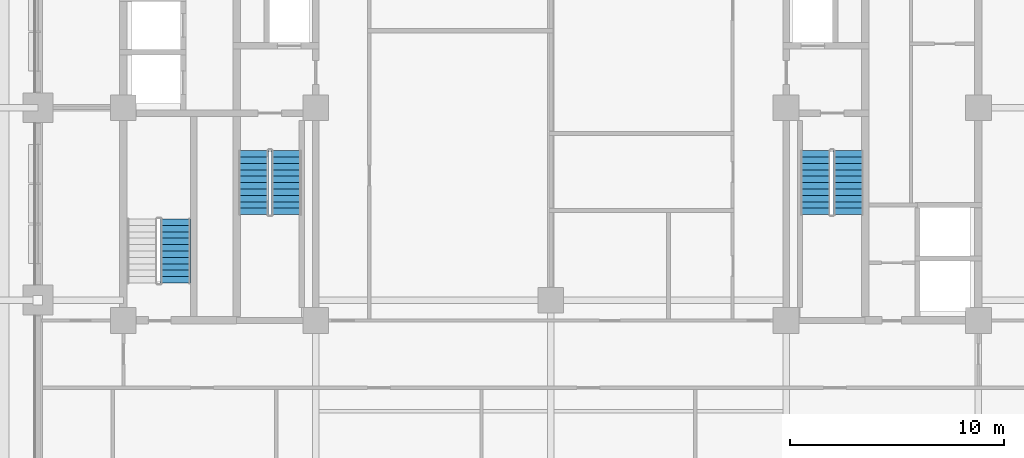
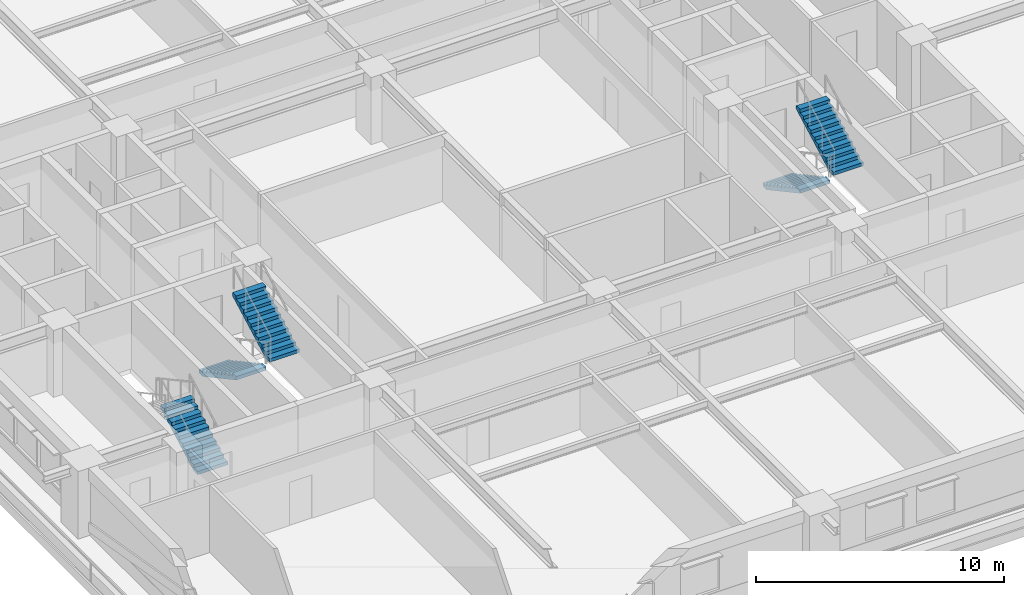
# One storey, part 7 of 14: 5 stair flights, 3 elements without a shape of their own.
"""IFC4 building model written with IfcOpenShell, lengths in metres."""

from ifc_helpers import new_model, si_unit, direction, frame, origin, place, context, subcontext, project, spatial, polyline, outline, extrude, material, layer, layer_set, type_object, element, aggregate, save


model = new_model("IFC4")

# Units and contexts
model_context = context("Model", 3, precision=1e-05, world=origin(), true_north=direction((0.0, 1.0)))
body_context = subcontext(model_context, "Body", "Model", "MODEL_VIEW")
ifc_project = project(units=[si_unit("LENGTHUNIT", "METRE"), si_unit("AREAUNIT", "SQUARE_METRE"), si_unit("VOLUMEUNIT", "CUBIC_METRE"), si_unit("PLANEANGLEUNIT", "RADIAN"), si_unit("MASSUNIT", "GRAM", prefix="KILO")], contexts=[model_context])

# Site, building, storey
site_placement = place(None, origin())
site = spatial("IfcSite", under=ifc_project, at=site_placement, CompositionType="ELEMENT")
building_placement = place(site_placement, origin())
building = spatial("IfcBuilding", under=site, at=building_placement, Name="Zulmaris Gate Convention Tower", CompositionType="ELEMENT")
storey_placement = place(building_placement, frame((0.0, 0.0, 41.47998046875)))
storey = spatial("IfcBuildingStorey", under=building, at=storey_placement, Name="L09", CompositionType="ELEMENT", Elevation=41.47998046875)

# Stair, stair flights
ifc_material = material(Name="Concrete C45/55", Category="concrete")
stair_type = type_object("IfcStairType", Name="ST-CORE-DOGLEG", PredefinedType="HALF_TURN_STAIR", material=ifc_material)
stair_1_placement = place(storey_placement, origin())
stair_1 = element("IfcStair", 1, at=stair_1_placement, inside=storey, type_object=stair_type, Name="L09 Core Exit Stair ST-1", PredefinedType="HALF_TURN_STAIR")
ifc_layer = layer(ifc_material, 0.14990234375, Name="Concrete C45/55")
ifc_layer_set = layer_set([ifc_layer], Name="Concrete C45/55")
stair_flight_type = type_object("IfcStairFlightType", Name="STF-RC150", PredefinedType="STRAIGHT", material=ifc_layer_set)
stair_flight_1_placement = place(storey_placement, frame((-13.919921875, -2.0, 0.0), z_axis=(0.0, 0.0, 1.0), x_axis=(0.0, -1.0, 0.0)))
stair_flight_1 = element("IfcStairFlight", 2, at=stair_flight_1_placement, type_object=stair_flight_type, Name="ST-1 flight 1", NumberOfRisers=11, NumberOfTreads=10, PredefinedType="STRAIGHT", RiserHeight=0.162272727, TreadLength=0.3, context=body_context, shape_type="SweptSolid", body=[
    extrude(outline(polyline([(0.0, 0.0), (0.0, 0.162353515625), (0.300048828125, 0.162353515625), (0.300048828125, 0.324462890625), (0.60009765625, 0.324462890625), (0.60009765625, 0.48681640625), (0.89990234375, 0.48681640625), (0.89990234375, 0.649169921875), (1.199951171875, 0.649169921875), (1.199951171875, 0.811279296875), (1.5, 0.811279296875), (1.5, 0.9736328125), (1.800048828125, 0.9736328125), (1.800048828125, 1.135986328125), (2.10009765625, 1.135986328125), (2.10009765625, 1.298095703125), (2.39990234375, 1.298095703125), (2.39990234375, 1.46044921875), (2.699951171875, 1.46044921875), (2.699951171875, 1.622802734375), (3.0, 1.622802734375), (3.0, 1.784912109375), (3.0, 1.452392578125), (0.315185546875, 0.0), (0.0, 0.0)])), frame((0.0, 0.699951171875, 0.0), z_axis=(0.0, -1.0, 0.0), x_axis=(1.0, 0.0, 0.0)), (0.0, 0.0, 1.0), 1.39990234375),
])
stair_flight_2_placement = place(storey_placement, frame((-12.360107421875, -5.0, 1.784912109375), z_axis=(0.0, 0.0, 1.0), x_axis=(0.0, 1.0, 0.0)))
stair_flight_2 = element("IfcStairFlight", 3, at=stair_flight_2_placement, type_object=stair_flight_type, Name="ST-1 flight 2", NumberOfRisers=11, NumberOfTreads=10, PredefinedType="STRAIGHT", RiserHeight=0.162272727, TreadLength=0.3, context=body_context, shape_type="SweptSolid", body=[
    extrude(outline(polyline([(0.0, 0.0), (0.0, 0.162353515625), (0.300048828125, 0.162353515625), (0.300048828125, 0.324462890625), (0.60009765625, 0.324462890625), (0.60009765625, 0.48681640625), (0.89990234375, 0.48681640625), (0.89990234375, 0.649169921875), (1.199951171875, 0.649169921875), (1.199951171875, 0.811279296875), (1.5, 0.811279296875), (1.5, 0.9736328125), (1.800048828125, 0.9736328125), (1.800048828125, 1.135986328125), (2.10009765625, 1.135986328125), (2.10009765625, 1.298095703125), (2.39990234375, 1.298095703125), (2.39990234375, 1.46044921875), (2.699951171875, 1.46044921875), (2.699951171875, 1.622802734375), (3.0, 1.622802734375), (3.0, 1.784912109375), (3.0, 1.452392578125), (0.315185546875, 0.0), (0.0, 0.0)])), frame((0.0, 0.699951171875, 0.0), z_axis=(0.0, -1.0, 0.0), x_axis=(1.0, 0.0, 0.0)), (0.0, 0.0, 1.0), 1.39990234375),
])
aggregate(stair_1, [stair_flight_1, stair_flight_2])

stair_2_placement = place(storey_placement, origin())
stair_2 = element("IfcStair", 4, at=stair_2_placement, inside=storey, type_object=stair_type, Name="L09 Core Exit Stair ST-2", PredefinedType="HALF_TURN_STAIR")
stair_flight_3_placement = place(storey_placement, frame((12.360107421875, -2.0, 0.0), z_axis=(0.0, 0.0, 1.0), x_axis=(0.0, -1.0, 0.0)))
stair_flight_3 = element("IfcStairFlight", 5, at=stair_flight_3_placement, type_object=stair_flight_type, Name="ST-2 flight 1", NumberOfRisers=11, NumberOfTreads=10, PredefinedType="STRAIGHT", RiserHeight=0.162272727, TreadLength=0.3, context=body_context, shape_type="SweptSolid", body=[
    extrude(outline(polyline([(0.0, 0.0), (0.0, 0.162353515625), (0.300048828125, 0.162353515625), (0.300048828125, 0.324462890625), (0.60009765625, 0.324462890625), (0.60009765625, 0.48681640625), (0.89990234375, 0.48681640625), (0.89990234375, 0.649169921875), (1.199951171875, 0.649169921875), (1.199951171875, 0.811279296875), (1.5, 0.811279296875), (1.5, 0.9736328125), (1.800048828125, 0.9736328125), (1.800048828125, 1.135986328125), (2.10009765625, 1.135986328125), (2.10009765625, 1.298095703125), (2.39990234375, 1.298095703125), (2.39990234375, 1.46044921875), (2.699951171875, 1.46044921875), (2.699951171875, 1.622802734375), (3.0, 1.622802734375), (3.0, 1.784912109375), (3.0, 1.452392578125), (0.315185546875, 0.0), (0.0, 0.0)])), frame((0.0, 0.699951171875, 0.0), z_axis=(0.0, -1.0, 0.0), x_axis=(1.0, 0.0, 0.0)), (0.0, 0.0, 1.0), 1.39990234375),
])
stair_flight_4_placement = place(storey_placement, frame((13.919921875, -5.0, 1.784912109375), z_axis=(0.0, 0.0, 1.0), x_axis=(0.0, 1.0, 0.0)))
stair_flight_4 = element("IfcStairFlight", 6, at=stair_flight_4_placement, type_object=stair_flight_type, Name="ST-2 flight 2", NumberOfRisers=11, NumberOfTreads=10, PredefinedType="STRAIGHT", RiserHeight=0.162272727, TreadLength=0.3, context=body_context, shape_type="SweptSolid", body=[
    extrude(outline(polyline([(0.0, 0.0), (0.0, 0.162353515625), (0.300048828125, 0.162353515625), (0.300048828125, 0.324462890625), (0.60009765625, 0.324462890625), (0.60009765625, 0.48681640625), (0.89990234375, 0.48681640625), (0.89990234375, 0.649169921875), (1.199951171875, 0.649169921875), (1.199951171875, 0.811279296875), (1.5, 0.811279296875), (1.5, 0.9736328125), (1.800048828125, 0.9736328125), (1.800048828125, 1.135986328125), (2.10009765625, 1.135986328125), (2.10009765625, 1.298095703125), (2.39990234375, 1.298095703125), (2.39990234375, 1.46044921875), (2.699951171875, 1.46044921875), (2.699951171875, 1.622802734375), (3.0, 1.622802734375), (3.0, 1.784912109375), (3.0, 1.452392578125), (0.315185546875, 0.0), (0.0, 0.0)])), frame((0.0, 0.699951171875, 0.0), z_axis=(0.0, -1.0, 0.0), x_axis=(1.0, 0.0, 0.0)), (0.0, 0.0, 1.0), 1.39990234375),
])
aggregate(stair_2, [stair_flight_3, stair_flight_4])

# Stair, stair flight
stair_3_placement = place(storey_placement, origin())
stair_3 = element("IfcStair", 7, at=stair_3_placement, inside=storey, type_object=stair_type, Name="L09 Core Exit Stair ST-3", PredefinedType="HALF_TURN_STAIR")
stair_flight_5_placement = place(storey_placement, frame((-17.56005859375, -8.199951171875, 0.0), z_axis=(0.0, 0.0, 1.0), x_axis=(0.0, 1.0, 0.0)))
stair_flight_5 = element("IfcStairFlight", 8, at=stair_flight_5_placement, type_object=stair_flight_type, Name="ST-3 flight 1", NumberOfRisers=11, NumberOfTreads=10, PredefinedType="STRAIGHT", RiserHeight=0.162272727, TreadLength=0.3, context=body_context, shape_type="SweptSolid", body=[
    extrude(outline(polyline([(0.0, 0.0), (0.0, 0.162353515625), (0.300048828125, 0.162353515625), (0.300048828125, 0.324462890625), (0.60009765625, 0.324462890625), (0.60009765625, 0.48681640625), (0.89990234375, 0.48681640625), (0.89990234375, 0.649169921875), (1.199951171875, 0.649169921875), (1.199951171875, 0.811279296875), (1.5, 0.811279296875), (1.5, 0.9736328125), (1.800048828125, 0.9736328125), (1.800048828125, 1.135986328125), (2.10009765625, 1.135986328125), (2.10009765625, 1.298095703125), (2.39990234375, 1.298095703125), (2.39990234375, 1.46044921875), (2.699951171875, 1.46044921875), (2.699951171875, 1.622802734375), (3.0, 1.622802734375), (3.0, 1.784912109375), (3.0, 1.452392578125), (0.315185546875, 0.0), (0.0, 0.0)])), frame((0.0, 0.699951171875, 0.0), z_axis=(0.0, -1.0, 0.0), x_axis=(1.0, 0.0, 0.0)), (0.0, 0.0, 1.0), 1.39990234375),
])
aggregate(stair_3, [stair_flight_5])

save(model, "model.ifc")
